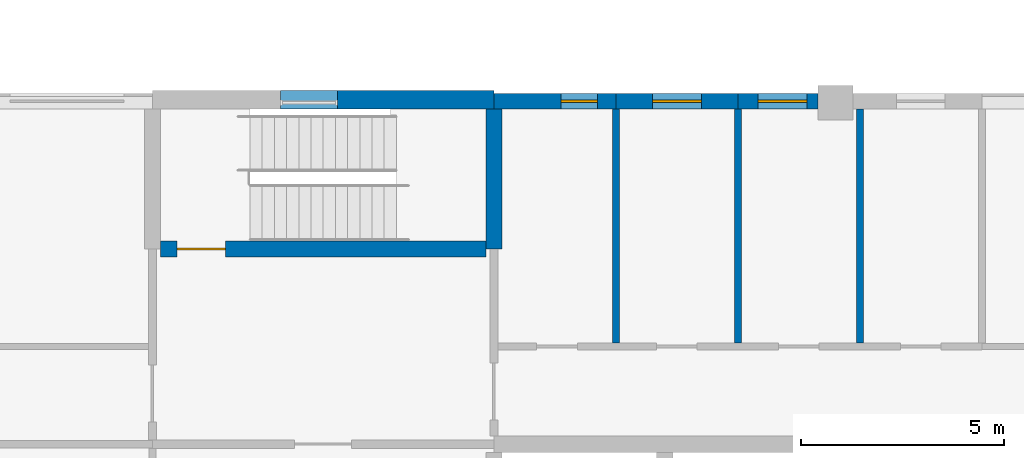
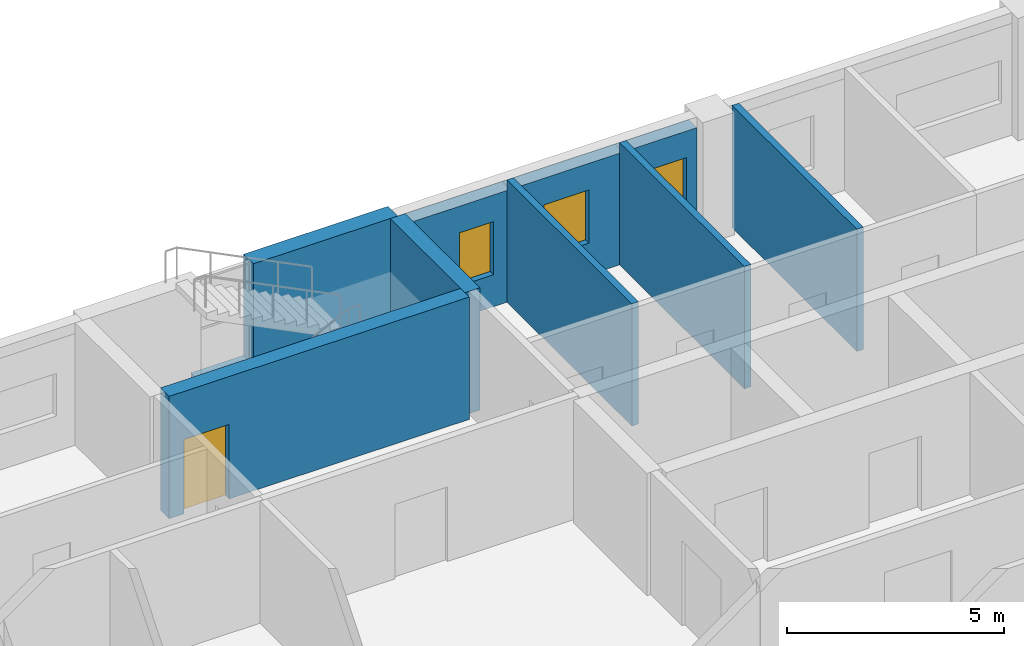
# One storey, part 64 of 94: 10 walls, 3 windows, 1 door, 4 openings.
"""IFC4 building model written with IfcOpenShell, lengths in metres."""

from ifc_helpers import new_model, si_unit, direction, frame, frame_2d, origin, place, context, subcontext, project, spatial, rectangle, extrude, material, layer, layer_set, type_object, element, fill, save


model = new_model("IFC4")

# Units and contexts
model_context = context("Model", 3, precision=1e-05, world=origin(), true_north=direction((0.0, 1.0)))
body_context = subcontext(model_context, "Body", "Model", "MODEL_VIEW")
ifc_project = project(units=[si_unit("LENGTHUNIT", "METRE"), si_unit("AREAUNIT", "SQUARE_METRE"), si_unit("VOLUMEUNIT", "CUBIC_METRE"), si_unit("PLANEANGLEUNIT", "RADIAN"), si_unit("MASSUNIT", "GRAM", prefix="KILO")], contexts=[model_context])

# Site, building, storey
site_placement = place(None, origin())
site = spatial("IfcSite", under=ifc_project, at=site_placement, CompositionType="ELEMENT")
building_placement = place(site_placement, origin())
building = spatial("IfcBuilding", under=site, at=building_placement, Name="Yavir Park General Hospital", CompositionType="ELEMENT")
storey_placement = place(building_placement, frame((0.0, 0.0, 4.5)))
storey = spatial("IfcBuildingStorey", under=building, at=storey_placement, Name="L01", CompositionType="ELEMENT", Elevation=4.5)

# Walls
ifc_material_1 = material(Name="Double-leaf gypsum board acoustic partition on staggered studs")
ifc_layer_1 = layer(ifc_material_1, 0.175048828125)
ifc_layer_set_1 = layer_set([ifc_layer_1], Name="Double-leaf gypsum board acoustic partition on staggered studs")
wall_type_1 = type_object("IfcWallType", Name="Acoustic partition 175", PredefinedType="PARTITIONING", material=ifc_layer_set_1)
for number, where, z_axis, x_axis, name in (
    (1, (120.60009765625, 27.6875, 0.0), (0.0, 0.0, 1.0), (0.0, 1.0, 0.0), "AP175 L01-431"),
    (2, (123.60009765625, 27.6875, 0.0), (0.0, 0.0, 1.0), (0.0, 1.0, 0.0), "AP175 L01-434"),
    (3, (126.60009765625, 27.6875, 0.0), (0.0, 0.0, 1.0), (0.0, 1.0, 0.0), "AP175 L01-439"),
):
    element("IfcWall", number, at=place(storey_placement, frame(where, z_axis=z_axis, x_axis=x_axis)), inside=storey, type_object=wall_type_1, Name=name, PredefinedType="PARTITIONING", context=body_context, shape_type="SweptSolid", body=[
        extrude(rectangle(XDim=5.762451171875, YDim=0.175048828125, at=frame_2d((2.88134765625, 0.0))), origin(), (0.0, 0.0, 1.0), 3.449951171875),
    ])

# Wall, opening, window
ifc_material_2 = material(Name="Autoclaved aerated block, 150 mm mineral wool and sand-coloured mineral render")
ifc_layer_2 = layer(ifc_material_2, 0.375)
ifc_layer_set_2 = layer_set([ifc_layer_2], Name="Autoclaved aerated block, 150 mm mineral wool and sand-coloured mineral render")
wall_type_2 = type_object("IfcWallType", Name="Mineral render clinical wall 375, E 30", PredefinedType="SOLIDWALL", material=ifc_layer_set_2)
wall_1_placement = place(storey_placement, frame((117.60009765625, 33.637451171875, 0.0), z_axis=(0.0, 0.0, 1.0), x_axis=(1.0, 0.0, 0.0)))
wall_1 = element("IfcWall", 4, at=wall_1_placement, inside=storey, type_object=wall_type_2, Name="XW1 L01-081", PredefinedType="SOLIDWALL", context=body_context, shape_type="SweptSolid", body=[
    extrude(rectangle(XDim=3.0, YDim=0.375, at=frame_2d((1.5, 0.0))), origin(), (0.0, 0.0, 1.0), 3.14990234375),
])
opening_1_placement = place(wall_1_placement, frame((1.64990234375, 0.0, 0.89990234375)))
opening_1 = element("IfcOpeningElement", 5, at=opening_1_placement, cuts=wall_1, Name="Opening WH", PredefinedType="OPENING", context=body_context, shape_type="SweptSolid", body=[
    extrude(rectangle(XDim=0.89990234375, YDim=1.5, at=frame_2d((0.449951171875, 0.75))), frame((0.0, 0.197509765625, 0.0), z_axis=(0.0, -1.0, 0.0), x_axis=(1.0, 0.0, 0.0)), (0.0, 0.0, 1.0), 0.39501953125),
])
ifc_material_3 = material(Name="Aluminium frame, double glazed unit", Category="aluminium")
window_type_1 = type_object("IfcWindowType", Name="Narrow window 900 x 1500", PartitioningType="SINGLE_PANEL", PredefinedType="WINDOW", material=ifc_material_3)
window_1_placement = place(opening_1_placement, origin())
window_1 = element("IfcWindow", 6, at=window_1_placement, inside=storey, type_object=window_type_1, Name="WH L01-048", OverallHeight=1.5, OverallWidth=0.89990234375, PartitioningType="SINGLE_PANEL", PredefinedType="WINDOW", context=body_context, shape_type="SweptSolid", body=[
    extrude(rectangle(XDim=0.89990234375, YDim=1.5, at=frame_2d((0.449951171875, 0.75))), frame((0.0, 0.030029296875, 0.0), z_axis=(0.0, -1.0, 0.0), x_axis=(1.0, 0.0, 0.0)), (0.0, 0.0, 1.0), 0.06005859375),
])
fill(opening_1, window_1)

wall_2_placement = place(storey_placement, frame((120.60009765625, 33.637451171875, 0.0), z_axis=(0.0, 0.0, 1.0), x_axis=(1.0, 0.0, 0.0)))
wall_2 = element("IfcWall", 7, at=wall_2_placement, inside=storey, type_object=wall_type_2, Name="XW1 L01-082", PredefinedType="SOLIDWALL", context=body_context, shape_type="SweptSolid", body=[
    extrude(rectangle(XDim=3.0, YDim=0.375, at=frame_2d((1.5, 0.0))), origin(), (0.0, 0.0, 1.0), 3.14990234375),
])
opening_2_placement = place(wall_2_placement, frame((0.89990234375, 0.0, 0.89990234375)))
opening_2 = element("IfcOpeningElement", 8, at=opening_2_placement, cuts=wall_2, Name="Opening WD", PredefinedType="OPENING", context=body_context, shape_type="SweptSolid", body=[
    extrude(rectangle(XDim=1.199951171875, YDim=1.5, at=frame_2d((0.60009765625, 0.75))), frame((0.0, 0.197509765625, 0.0), z_axis=(0.0, -1.0, 0.0), x_axis=(1.0, 0.0, 0.0)), (0.0, 0.0, 1.0), 0.39501953125),
])
ifc_material_4 = material(Name="Aluminium frame, double glazed unit", Category="aluminium")
window_type_2 = type_object("IfcWindowType", Name="Office window 1200 x 1500", PartitioningType="SINGLE_PANEL", PredefinedType="WINDOW", material=ifc_material_4)
window_2_placement = place(opening_2_placement, origin())
window_2 = element("IfcWindow", 9, at=window_2_placement, inside=storey, type_object=window_type_2, Name="WD L01-049", OverallHeight=1.5, OverallWidth=1.199951171875, PartitioningType="SINGLE_PANEL", PredefinedType="WINDOW", context=body_context, shape_type="SweptSolid", body=[
    extrude(rectangle(XDim=1.199951171875, YDim=1.5, at=frame_2d((0.60009765625, 0.75))), frame((0.0, 0.030029296875, 0.0), z_axis=(0.0, -1.0, 0.0), x_axis=(1.0, 0.0, 0.0)), (0.0, 0.0, 1.0), 0.06005859375),
])
fill(opening_2, window_2)

wall_3_placement = place(storey_placement, frame((123.60009765625, 33.637451171875, 0.0), z_axis=(0.0, 0.0, 1.0), x_axis=(1.0, 0.0, 0.0)))
wall_3 = element("IfcWall", 10, at=wall_3_placement, inside=storey, type_object=wall_type_2, Name="XW1 L01-083", PredefinedType="SOLIDWALL", context=body_context, shape_type="SweptSolid", body=[
    extrude(rectangle(XDim=1.974853515625, YDim=0.375, at=frame_2d((0.9873046875, 0.0))), origin(), (0.0, 0.0, 1.0), 3.14990234375),
])
opening_3_placement = place(wall_3_placement, frame((0.5, 0.0, 0.89990234375)))
opening_3 = element("IfcOpeningElement", 11, at=opening_3_placement, cuts=wall_3, Name="Opening WD", PredefinedType="OPENING", context=body_context, shape_type="SweptSolid", body=[
    extrude(rectangle(XDim=1.199951171875, YDim=1.5, at=frame_2d((0.60009765625, 0.75))), frame((0.0, 0.197509765625, 0.0), z_axis=(0.0, -1.0, 0.0), x_axis=(1.0, 0.0, 0.0)), (0.0, 0.0, 1.0), 0.39501953125),
])
window_3_placement = place(opening_3_placement, origin())
window_3 = element("IfcWindow", 12, at=window_3_placement, inside=storey, type_object=window_type_2, Name="WD L01-050", OverallHeight=1.5, OverallWidth=1.199951171875, PartitioningType="SINGLE_PANEL", PredefinedType="WINDOW", context=body_context, shape_type="SweptSolid", body=[
    extrude(rectangle(XDim=1.199951171875, YDim=1.5, at=frame_2d((0.60009765625, 0.75))), frame((0.0, 0.030029296875, 0.0), z_axis=(0.0, -1.0, 0.0), x_axis=(1.0, 0.0, 0.0)), (0.0, 0.0, 1.0), 0.06005859375),
])
fill(opening_3, window_3)

# Wall, opening, door
ifc_material_5 = material(Name="Concrete C35/45", Category="concrete")
ifc_layer_3 = layer(ifc_material_5, 0.39990234375)
ifc_layer_set_3 = layer_set([ifc_layer_3], Name="Concrete C35/45")
wall_type_3 = type_object("IfcWallType", Name="Reinforced concrete core wall 400, REI 150", PredefinedType="SHEAR", material=ifc_layer_set_3)
wall_4_placement = place(storey_placement, frame((109.39990234375, 30.0, 0.0), z_axis=(0.0, 0.0, 1.0), x_axis=(1.0, 0.0, 0.0)))
wall_4 = element("IfcWall", 13, at=wall_4_placement, inside=storey, type_object=wall_type_3, Name="CW40 L01-124", PredefinedType="SHEAR", context=body_context, shape_type="SweptSolid", body=[
    extrude(rectangle(XDim=8.0, YDim=0.39990234375, at=frame_2d((4.0, 0.0))), origin(), (0.0, 0.0, 1.0), 3.449951171875),
])
opening_4_placement = place(wall_4_placement, frame((0.39990234375, 0.0, 0.0)))
opening_4 = element("IfcOpeningElement", 14, at=opening_4_placement, cuts=wall_4, Name="Opening L01.D142", PredefinedType="OPENING", context=body_context, shape_type="SweptSolid", body=[
    extrude(rectangle(XDim=1.199951171875, YDim=2.10009765625, at=frame_2d((0.60009765625, 1.050048828125))), frame((0.0, 0.2099609375, 0.0), z_axis=(0.0, -1.0, 0.0), x_axis=(1.0, 0.0, 0.0)), (0.0, 0.0, 1.0), 0.419921875),
])
ifc_material_6 = material(Name="Steel frame, fire-resisting timber leaf", Category="steel")
door_type = type_object("IfcDoorType", Name="Fire door 1200 x 2100, EI 60", OperationType="SINGLE_SWING_LEFT", PredefinedType="DOOR", material=ifc_material_6)
door_placement = place(opening_4_placement, origin())
door = element("IfcDoor", 15, at=door_placement, inside=storey, type_object=door_type, Name="L01.D142", OperationType="SINGLE_SWING_RIGHT", OverallHeight=2.10009765625, OverallWidth=1.199951171875, PredefinedType="DOOR", context=body_context, shape_type="SweptSolid", body=[
    extrude(rectangle(XDim=1.199951171875, YDim=2.10009765625, at=frame_2d((0.60009765625, 1.050048828125))), frame((0.0, 0.02490234375, 0.0), z_axis=(0.0, -1.0, 0.0), x_axis=(1.0, 0.0, 0.0)), (0.0, 0.0, 1.0), 0.050048828125),
])
fill(opening_4, door)

# Walls
wall_5_placement = place(storey_placement, frame((117.60009765625, 30.0, 0.0), z_axis=(0.0, 0.0, 1.0), x_axis=(0.0, 1.0, 0.0)))
element("IfcWall", 16, at=wall_5_placement, inside=storey, type_object=wall_type_3, Name="CW40 L01-428", PredefinedType="SHEAR", context=body_context, shape_type="SweptSolid", body=[
    extrude(rectangle(XDim=3.449951171875, YDim=0.39990234375, at=frame_2d((1.72509765625, 0.0))), origin(), (0.0, 0.0, 1.0), 3.449951171875),
])
ifc_material_7 = material(Name="Concrete C30/37 precast panel with 150 mm mineral wool insulation", Category="concrete")
ifc_layer_4 = layer(ifc_material_7, 0.449951171875)
ifc_layer_set_4 = layer_set([ifc_layer_4], Name="Concrete C30/37 precast panel with 150 mm mineral wool insulation")
wall_type_4 = type_object("IfcWallType", Name="Stair enclosure wall 450, REI 150", PredefinedType="SOLIDWALL", material=ifc_layer_set_4)
wall_6_placement = place(storey_placement, frame((113.75, 33.675048828125, 0.0), z_axis=(0.0, 0.0, 1.0), x_axis=(1.0, 0.0, 0.0)))
element("IfcWall", 17, at=wall_6_placement, inside=storey, type_object=wall_type_4, Name="XW6 L01-079", PredefinedType="SOLIDWALL", context=body_context, shape_type="SweptSolid", body=[
    extrude(rectangle(XDim=3.85009765625, YDim=0.449951171875, at=frame_2d((1.925048828125, 0.0))), origin(), (0.0, 0.0, 1.0), 3.449951171875),
])
wall_7_placement = place(storey_placement, frame((112.35009765625, 33.675048828125, 0.0), z_axis=(0.0, 0.0, 1.0), x_axis=(1.0, 0.0, 0.0)))
element("IfcWall", 18, at=wall_7_placement, inside=storey, type_object=wall_type_4, Name="XW6 L01-080", PredefinedType="SOLIDWALL", context=body_context, shape_type="SweptSolid", body=[
    extrude(rectangle(XDim=1.39990234375, YDim=0.449951171875, at=frame_2d((0.699951171875, 0.0))), origin(), (0.0, 0.0, 1.0), 0.60009765625),
])

save(model, "model.ifc")
